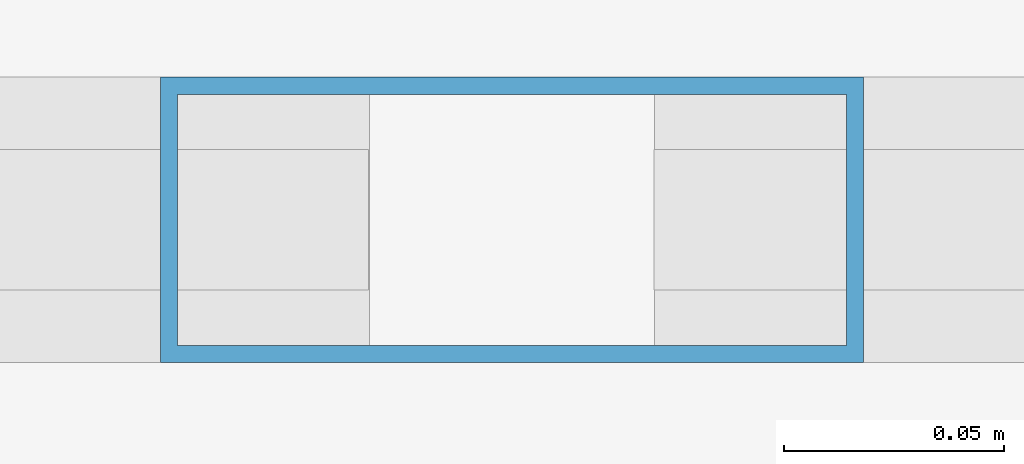
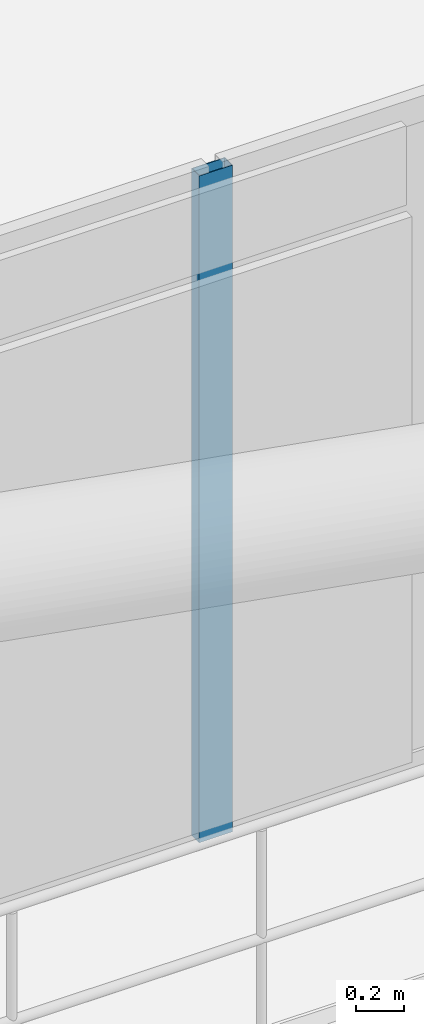
# One storey, part 9 of 34: 1 member, 1 element without a shape of its own.
"""IFC4 building model written with IfcOpenShell, lengths in metres."""

from ifc_helpers import new_model, si_unit, direction, frame, origin, origin_2d, place, context, subcontext, project, spatial, hollow_rectangle, extrude, material, layer, layer_set, material_profile, profile_set, type_object, element, aggregate, save


model = new_model("IFC4")

# Units and contexts
model_context = context("Model", 3, precision=1e-05, world=origin(), true_north=direction((0.0, 1.0)))
body_context = subcontext(model_context, "Body", "Model", "MODEL_VIEW")
ifc_project = project(units=[si_unit("LENGTHUNIT", "METRE"), si_unit("AREAUNIT", "SQUARE_METRE"), si_unit("VOLUMEUNIT", "CUBIC_METRE"), si_unit("PLANEANGLEUNIT", "RADIAN"), si_unit("MASSUNIT", "GRAM", prefix="KILO")], contexts=[model_context])

# Site, building, storey
site_placement = place(None, origin())
site = spatial("IfcSite", under=ifc_project, at=site_placement, CompositionType="ELEMENT")
building_placement = place(site_placement, origin())
building = spatial("IfcBuilding", under=site, at=building_placement, Name="Caelvoria Tower", CompositionType="ELEMENT")
storey_placement = place(building_placement, frame((0.0, 0.0, 28.0)))
storey = spatial("IfcBuildingStorey", under=building, at=storey_placement, Name="L06", CompositionType="ELEMENT", Elevation=28.0)

# Curtain wall, member
ifc_material_1 = material(Name="Anodised Bronze Aluminium and Low-E Glass", Category="aluminium")
ifc_layer = layer(ifc_material_1, 0.18505859375, Name="Anodised Bronze Aluminium and Low-E Glass")
ifc_layer_set = layer_set([ifc_layer], Name="CW System 2 Lower Tower Bronze Unitised Facade - Anodised Bronze Aluminium and Low-E Glass")
curtain_wall_type = type_object("IfcCurtainWallType", Name="CW System 2 Lower Tower Bronze Unitised Facade", PredefinedType="NOTDEFINED", material=ifc_layer_set)
curtain_wall_placement = place(storey_placement, origin())
curtain_wall = element("IfcCurtainWall", 1, at=curtain_wall_placement, inside=storey, type_object=curtain_wall_type, Name="CW-02 Curtain Wall L06-E0", PredefinedType="NOTDEFINED")
ifc_material_2 = material(Name="Anodised Bronze Architectural Aluminium", Category="aluminium")
ifc_material_profile = material_profile(ifc_material_2, hollow_rectangle(XDim=0.06494140625, YDim=0.159912109375, WallThickness=0.00390625, at=origin_2d()), Name="Anodised Bronze Architectural Aluminium")
ifc_profile_set = profile_set([ifc_material_profile], Name="CW_MULL_65X160 - Anodised Bronze Architectural Aluminium")
member_type = type_object("IfcMemberType", Name="Curtain Wall Mullion 65x160 Bronze Aluminium", PredefinedType="MULLION", material=ifc_profile_set)
member_placement = place(storey_placement, frame((53.769287109375, 11.3798828125, 0.0), z_axis=(0.0, 0.0, 1.0), x_axis=(0.0, 1.0, 0.0)))
member = element("IfcMember", 2, at=member_placement, type_object=member_type, Name="CW-02 mullion 10", PredefinedType="MULLION", context=body_context, shape_type="SweptSolid", body=[
    extrude(hollow_rectangle(XDim=0.06494140625, YDim=0.159912109375, WallThickness=0.00390625, at=origin_2d()), origin(), (0.0, 0.0, 1.0), 3.360107421875),
])
aggregate(curtain_wall, [member])

save(model, "model.ifc")
